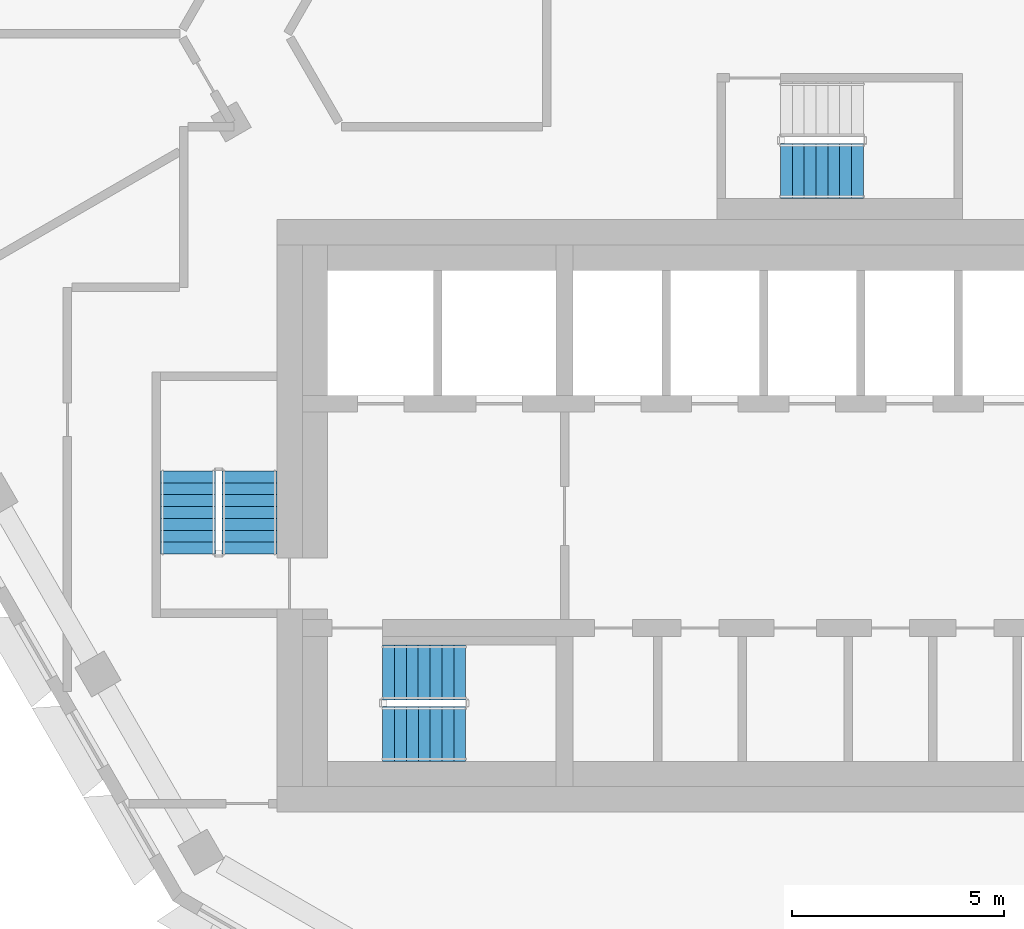
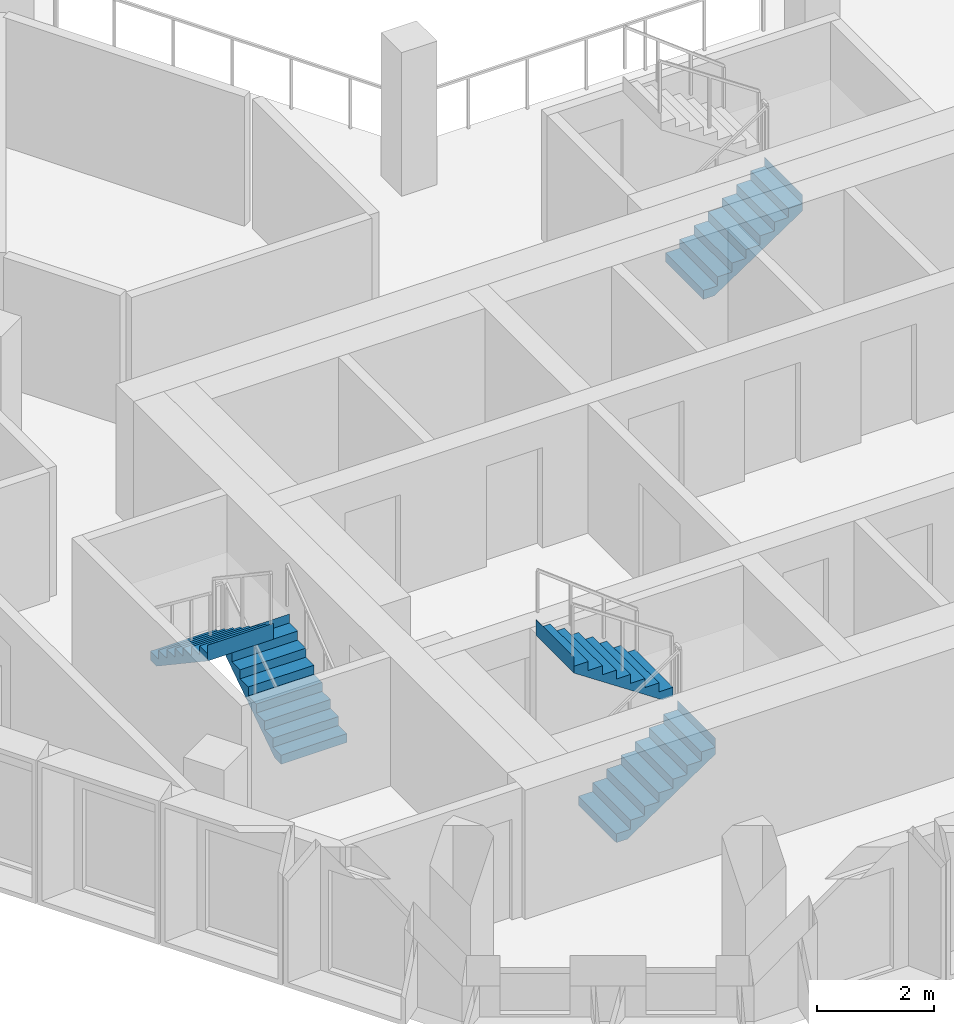
# One storey, part 11 of 17: 5 stair flights, 3 elements without a shape of their own.
"""IFC4 building model written with IfcOpenShell, lengths in metres."""

from ifc_helpers import new_model, si_unit, direction, frame, origin, place, context, subcontext, project, spatial, triangles, material, type_object, element, aggregate, save


model = new_model("IFC4")

# Units and contexts
model_context = context("Model", 3, precision=1e-05, world=origin(), true_north=direction((0.0, 1.0)))
body_context = subcontext(model_context, "Body", "Model", "MODEL_VIEW")
ifc_project = project(units=[si_unit("LENGTHUNIT", "METRE"), si_unit("AREAUNIT", "SQUARE_METRE"), si_unit("VOLUMEUNIT", "CUBIC_METRE"), si_unit("PLANEANGLEUNIT", "RADIAN"), si_unit("MASSUNIT", "GRAM", prefix="KILO")], contexts=[model_context])

# Site, building, storey
site_placement = place(None, origin())
site = spatial("IfcSite", under=ifc_project, at=site_placement, CompositionType="ELEMENT")
building_placement = place(site_placement, origin())
building = spatial("IfcBuilding", under=site, at=building_placement, Name="Beryl Residences", CompositionType="ELEMENT")
storey_placement = place(building_placement, frame((0.0, 0.0, 172.199951171875)))
storey = spatial("IfcBuildingStorey", under=building, at=storey_placement, Name="L52", CompositionType="ELEMENT", Elevation=172.199951171875)

# Stair, stair flights
ifc_material_1 = material(Name="Concrete C40/50", Category="concrete")
stair_type = type_object("IfcStairType", Name="ST1 protected exit stair, half-turn, 1300 mm flights", PredefinedType="HALF_TURN_STAIR", material=ifc_material_1)
stair_1_placement = place(storey_placement, origin())
stair_1 = element("IfcStair", 1, at=stair_1_placement, inside=storey, type_object=stair_type, Name="L52 PROTECTED EXIT STAIR ST-1", PredefinedType="HALF_TURN_STAIR")
ifc_material_2 = material(Name="Concrete C40/50", Category="concrete")
stair_flight_type = type_object("IfcStairFlightType", Name="SF1 stair flight 1300 mm", PredefinedType="STRAIGHT", material=ifc_material_2)
stair_flight_1_placement = place(storey_placement, frame((-10.800048828125, -17.14990234375, 0.0), z_axis=(0.0, 0.0, 1.0), x_axis=(1.0, 0.0, 0.0)))
stair_flight_1 = element("IfcStairFlight", 2, at=stair_flight_1_placement, type_object=stair_flight_type, Name="ST-1 flight 1", NumberOfRisers=8, NumberOfTreads=7, PredefinedType="STRAIGHT", RiserHeight=0.1875, TreadLength=0.28, context=body_context, shape_type="Tessellation", body=[
    triangles([(0.0, -0.64990234375, 0.0), (0.0, -0.324951171875, 0.0), (0.0, 0.0, 0.0), (0.0, 0.324951171875, 0.0), (0.0, 0.64990234375, 0.0), (0.0, -0.64990234375, 0.1875), (0.0, -0.324951171875, 0.1875), (0.0, 0.0, 0.1875), (0.0, 0.324951171875, 0.1875), (0.0, 0.64990234375, 0.1875), (0.280029296875, -0.64990234375, 0.1875), (0.280029296875, -0.324951171875, 0.1875), (0.280029296875, 0.0, 0.1875), (0.280029296875, 0.324951171875, 0.1875), (0.280029296875, 0.64990234375, 0.1875), (0.280029296875, -0.64990234375, 0.375), (0.280029296875, -0.324951171875, 0.375), (0.280029296875, 0.0, 0.375), (0.280029296875, 0.324951171875, 0.375), (0.280029296875, 0.64990234375, 0.375), (0.56005859375, -0.64990234375, 0.375), (0.56005859375, -0.324951171875, 0.375), (0.56005859375, 0.0, 0.375), (0.56005859375, 0.324951171875, 0.375), (0.56005859375, 0.64990234375, 0.375), (0.56005859375, -0.64990234375, 0.5625), (0.56005859375, -0.324951171875, 0.5625), (0.56005859375, 0.0, 0.5625), (0.56005859375, 0.324951171875, 0.5625), (0.56005859375, 0.64990234375, 0.5625), (0.840087890625, -0.64990234375, 0.5625), (0.840087890625, -0.324951171875, 0.5625), (0.840087890625, 0.0, 0.5625), (0.840087890625, 0.324951171875, 0.5625), (0.840087890625, 0.64990234375, 0.5625), (0.840087890625, -0.64990234375, 0.75), (0.840087890625, -0.324951171875, 0.75), (0.840087890625, 0.0, 0.75), (0.840087890625, 0.324951171875, 0.75), (0.840087890625, 0.64990234375, 0.75), (1.1201171875, -0.64990234375, 0.75), (1.1201171875, -0.324951171875, 0.75), (1.1201171875, 0.0, 0.75), (1.1201171875, 0.324951171875, 0.75), (1.1201171875, 0.64990234375, 0.75), (1.1201171875, -0.64990234375, 0.9375), (1.1201171875, -0.324951171875, 0.9375), (1.1201171875, 0.0, 0.9375), (1.1201171875, 0.324951171875, 0.9375), (1.1201171875, 0.64990234375, 0.9375), (1.39990234375, -0.64990234375, 0.9375), (1.39990234375, -0.324951171875, 0.9375), (1.39990234375, 0.0, 0.9375), (1.39990234375, 0.324951171875, 0.9375), (1.39990234375, 0.64990234375, 0.9375), (1.39990234375, -0.64990234375, 1.125), (1.39990234375, -0.324951171875, 1.125), (1.39990234375, 0.0, 1.125), (1.39990234375, 0.324951171875, 1.125), (1.39990234375, 0.64990234375, 1.125), (1.679931640625, -0.64990234375, 1.125), (1.679931640625, -0.324951171875, 1.125), (1.679931640625, 0.0, 1.125), (1.679931640625, 0.324951171875, 1.125), (1.679931640625, 0.64990234375, 1.125), (1.679931640625, -0.64990234375, 1.3125), (1.679931640625, -0.324951171875, 1.3125), (1.679931640625, 0.0, 1.3125), (1.679931640625, 0.324951171875, 1.3125), (1.679931640625, 0.64990234375, 1.3125), (1.9599609375, -0.64990234375, 1.3125), (1.9599609375, -0.324951171875, 1.3125), (1.9599609375, 0.0, 1.3125), (1.9599609375, 0.324951171875, 1.3125), (1.9599609375, 0.64990234375, 1.3125), (1.9599609375, -0.64990234375, 1.5), (1.9599609375, -0.324951171875, 1.5), (1.9599609375, 0.0, 1.5), (1.9599609375, 0.324951171875, 1.5), (1.9599609375, 0.64990234375, 1.5), (1.9609375, -0.64990234375, 1.5), (1.9609375, -0.324951171875, 1.5), (1.9609375, 0.0, 1.5), (1.9609375, 0.324951171875, 1.5), (1.9609375, 0.64990234375, 1.5), (1.9609375, -0.64990234375, 1.16796875), (1.9609375, -0.324951171875, 1.16796875), (1.9609375, 0.0, 1.16796875), (1.9609375, 0.324951171875, 1.16796875), (1.9609375, 0.64990234375, 1.16796875), (0.216796875, -0.64990234375, 0.0), (0.216796875, -0.324951171875, 0.0), (0.216796875, 0.0, 0.0), (0.216796875, 0.324951171875, 0.0), (0.216796875, 0.64990234375, 0.0)], [[1, 6, 7], [1, 7, 2], [2, 7, 8], [2, 8, 3], [3, 8, 9], [3, 9, 4], [4, 9, 10], [4, 10, 5], [6, 11, 12], [6, 12, 7], [7, 12, 13], [7, 13, 8], [8, 13, 14], [8, 14, 9], [9, 14, 15], [9, 15, 10], [11, 16, 17], [11, 17, 12], [12, 17, 18], [12, 18, 13], [13, 18, 19], [13, 19, 14], [14, 19, 20], [14, 20, 15], [16, 21, 22], [16, 22, 17], [17, 22, 23], [17, 23, 18], [18, 23, 24], [18, 24, 19], [19, 24, 25], [19, 25, 20], [21, 26, 27], [21, 27, 22], [22, 27, 28], [22, 28, 23], [23, 28, 29], [23, 29, 24], [24, 29, 30], [24, 30, 25], [26, 31, 32], [26, 32, 27], [27, 32, 33], [27, 33, 28], [28, 33, 34], [28, 34, 29], [29, 34, 35], [29, 35, 30], [31, 36, 37], [31, 37, 32], [32, 37, 38], [32, 38, 33], [33, 38, 39], [33, 39, 34], [34, 39, 40], [34, 40, 35], [36, 41, 42], [36, 42, 37], [37, 42, 43], [37, 43, 38], [38, 43, 44], [38, 44, 39], [39, 44, 45], [39, 45, 40], [41, 46, 47], [41, 47, 42], [42, 47, 48], [42, 48, 43], [43, 48, 49], [43, 49, 44], [44, 49, 50], [44, 50, 45], [46, 51, 52], [46, 52, 47], [47, 52, 53], [47, 53, 48], [48, 53, 54], [48, 54, 49], [49, 54, 55], [49, 55, 50], [51, 56, 57], [51, 57, 52], [52, 57, 58], [52, 58, 53], [53, 58, 59], [53, 59, 54], [54, 59, 60], [54, 60, 55], [56, 61, 62], [56, 62, 57], [57, 62, 63], [57, 63, 58], [58, 63, 64], [58, 64, 59], [59, 64, 65], [59, 65, 60], [61, 66, 67], [61, 67, 62], [62, 67, 68], [62, 68, 63], [63, 68, 69], [63, 69, 64], [64, 69, 70], [64, 70, 65], [66, 71, 72], [66, 72, 67], [67, 72, 73], [67, 73, 68], [68, 73, 74], [68, 74, 69], [69, 74, 75], [69, 75, 70], [71, 76, 77], [71, 77, 72], [72, 77, 78], [72, 78, 73], [73, 78, 79], [73, 79, 74], [74, 79, 80], [74, 80, 75], [76, 81, 82], [76, 82, 77], [77, 82, 83], [77, 83, 78], [78, 83, 84], [78, 84, 79], [79, 84, 85], [79, 85, 80], [81, 86, 87], [81, 87, 82], [82, 87, 88], [82, 88, 83], [83, 88, 89], [83, 89, 84], [84, 89, 90], [84, 90, 85], [86, 91, 92], [86, 92, 87], [87, 92, 93], [87, 93, 88], [88, 93, 94], [88, 94, 89], [89, 94, 95], [89, 95, 90], [91, 1, 2], [91, 2, 92], [92, 2, 3], [92, 3, 93], [93, 3, 4], [93, 4, 94], [94, 4, 5], [94, 5, 95], [1, 91, 86], [5, 90, 95], [86, 81, 76], [90, 80, 85], [86, 76, 71], [90, 75, 80], [86, 71, 66], [90, 70, 75], [86, 66, 61], [90, 65, 70], [61, 56, 51], [65, 55, 60], [86, 61, 51], [90, 55, 65], [51, 46, 41], [55, 45, 50], [86, 51, 41], [90, 45, 55], [41, 36, 31], [45, 35, 40], [86, 41, 31], [90, 35, 45], [31, 26, 21], [35, 25, 30], [86, 31, 21], [90, 25, 35], [21, 16, 11], [25, 15, 20], [86, 21, 11], [90, 15, 25], [1, 86, 11], [5, 15, 90], [11, 6, 1], [15, 5, 10]], closed=True),
])
stair_flight_2_placement = place(storey_placement, frame((-8.840087890625, -15.699951171875, 1.5), z_axis=(0.0, 0.0, 1.0), x_axis=(-1.0, 0.0, 0.0)))
stair_flight_2 = element("IfcStairFlight", 3, at=stair_flight_2_placement, type_object=stair_flight_type, Name="ST-1 flight 2", NumberOfRisers=8, NumberOfTreads=7, PredefinedType="STRAIGHT", RiserHeight=0.1875, TreadLength=0.28, context=body_context, shape_type="Tessellation", body=[
    triangles([(0.0, -0.64990234375, 0.0), (0.0, -0.324951171875, 0.0), (0.0, 0.0, 0.0), (0.0, 0.324951171875, 0.0), (0.0, 0.64990234375, 0.0), (0.0, -0.64990234375, 0.1875), (0.0, -0.324951171875, 0.1875), (0.0, 0.0, 0.1875), (0.0, 0.324951171875, 0.1875), (0.0, 0.64990234375, 0.1875), (0.280029296875, -0.64990234375, 0.1875), (0.280029296875, -0.324951171875, 0.1875), (0.280029296875, 0.0, 0.1875), (0.280029296875, 0.324951171875, 0.1875), (0.280029296875, 0.64990234375, 0.1875), (0.280029296875, -0.64990234375, 0.375), (0.280029296875, -0.324951171875, 0.375), (0.280029296875, 0.0, 0.375), (0.280029296875, 0.324951171875, 0.375), (0.280029296875, 0.64990234375, 0.375), (0.56005859375, -0.64990234375, 0.375), (0.56005859375, -0.324951171875, 0.375), (0.56005859375, 0.0, 0.375), (0.56005859375, 0.324951171875, 0.375), (0.56005859375, 0.64990234375, 0.375), (0.56005859375, -0.64990234375, 0.5625), (0.56005859375, -0.324951171875, 0.5625), (0.56005859375, 0.0, 0.5625), (0.56005859375, 0.324951171875, 0.5625), (0.56005859375, 0.64990234375, 0.5625), (0.840087890625, -0.64990234375, 0.5625), (0.840087890625, -0.324951171875, 0.5625), (0.840087890625, 0.0, 0.5625), (0.840087890625, 0.324951171875, 0.5625), (0.840087890625, 0.64990234375, 0.5625), (0.840087890625, -0.64990234375, 0.75), (0.840087890625, -0.324951171875, 0.75), (0.840087890625, 0.0, 0.75), (0.840087890625, 0.324951171875, 0.75), (0.840087890625, 0.64990234375, 0.75), (1.1201171875, -0.64990234375, 0.75), (1.1201171875, -0.324951171875, 0.75), (1.1201171875, 0.0, 0.75), (1.1201171875, 0.324951171875, 0.75), (1.1201171875, 0.64990234375, 0.75), (1.1201171875, -0.64990234375, 0.9375), (1.1201171875, -0.324951171875, 0.9375), (1.1201171875, 0.0, 0.9375), (1.1201171875, 0.324951171875, 0.9375), (1.1201171875, 0.64990234375, 0.9375), (1.39990234375, -0.64990234375, 0.9375), (1.39990234375, -0.324951171875, 0.9375), (1.39990234375, 0.0, 0.9375), (1.39990234375, 0.324951171875, 0.9375), (1.39990234375, 0.64990234375, 0.9375), (1.39990234375, -0.64990234375, 1.125), (1.39990234375, -0.324951171875, 1.125), (1.39990234375, 0.0, 1.125), (1.39990234375, 0.324951171875, 1.125), (1.39990234375, 0.64990234375, 1.125), (1.679931640625, -0.64990234375, 1.125), (1.679931640625, -0.324951171875, 1.125), (1.679931640625, 0.0, 1.125), (1.679931640625, 0.324951171875, 1.125), (1.679931640625, 0.64990234375, 1.125), (1.679931640625, -0.64990234375, 1.3125), (1.679931640625, -0.324951171875, 1.3125), (1.679931640625, 0.0, 1.3125), (1.679931640625, 0.324951171875, 1.3125), (1.679931640625, 0.64990234375, 1.3125), (1.9599609375, -0.64990234375, 1.3125), (1.9599609375, -0.324951171875, 1.3125), (1.9599609375, 0.0, 1.3125), (1.9599609375, 0.324951171875, 1.3125), (1.9599609375, 0.64990234375, 1.3125), (1.9599609375, -0.64990234375, 1.5), (1.9599609375, -0.324951171875, 1.5), (1.9599609375, 0.0, 1.5), (1.9599609375, 0.324951171875, 1.5), (1.9599609375, 0.64990234375, 1.5), (1.9609375, -0.64990234375, 1.5), (1.9609375, -0.324951171875, 1.5), (1.9609375, 0.0, 1.5), (1.9609375, 0.324951171875, 1.5), (1.9609375, 0.64990234375, 1.5), (1.9609375, -0.64990234375, 1.16796875), (1.9609375, -0.324951171875, 1.16796875), (1.9609375, 0.0, 1.16796875), (1.9609375, 0.324951171875, 1.16796875), (1.9609375, 0.64990234375, 1.16796875), (0.216796875, -0.64990234375, 0.0), (0.216796875, -0.324951171875, 0.0), (0.216796875, 0.0, 0.0), (0.216796875, 0.324951171875, 0.0), (0.216796875, 0.64990234375, 0.0)], [[1, 6, 7], [1, 7, 2], [2, 7, 8], [2, 8, 3], [3, 8, 9], [3, 9, 4], [4, 9, 10], [4, 10, 5], [6, 11, 12], [6, 12, 7], [7, 12, 13], [7, 13, 8], [8, 13, 14], [8, 14, 9], [9, 14, 15], [9, 15, 10], [11, 16, 17], [11, 17, 12], [12, 17, 18], [12, 18, 13], [13, 18, 19], [13, 19, 14], [14, 19, 20], [14, 20, 15], [16, 21, 22], [16, 22, 17], [17, 22, 23], [17, 23, 18], [18, 23, 24], [18, 24, 19], [19, 24, 25], [19, 25, 20], [21, 26, 27], [21, 27, 22], [22, 27, 28], [22, 28, 23], [23, 28, 29], [23, 29, 24], [24, 29, 30], [24, 30, 25], [26, 31, 32], [26, 32, 27], [27, 32, 33], [27, 33, 28], [28, 33, 34], [28, 34, 29], [29, 34, 35], [29, 35, 30], [31, 36, 37], [31, 37, 32], [32, 37, 38], [32, 38, 33], [33, 38, 39], [33, 39, 34], [34, 39, 40], [34, 40, 35], [36, 41, 42], [36, 42, 37], [37, 42, 43], [37, 43, 38], [38, 43, 44], [38, 44, 39], [39, 44, 45], [39, 45, 40], [41, 46, 47], [41, 47, 42], [42, 47, 48], [42, 48, 43], [43, 48, 49], [43, 49, 44], [44, 49, 50], [44, 50, 45], [46, 51, 52], [46, 52, 47], [47, 52, 53], [47, 53, 48], [48, 53, 54], [48, 54, 49], [49, 54, 55], [49, 55, 50], [51, 56, 57], [51, 57, 52], [52, 57, 58], [52, 58, 53], [53, 58, 59], [53, 59, 54], [54, 59, 60], [54, 60, 55], [56, 61, 62], [56, 62, 57], [57, 62, 63], [57, 63, 58], [58, 63, 64], [58, 64, 59], [59, 64, 65], [59, 65, 60], [61, 66, 67], [61, 67, 62], [62, 67, 68], [62, 68, 63], [63, 68, 69], [63, 69, 64], [64, 69, 70], [64, 70, 65], [66, 71, 72], [66, 72, 67], [67, 72, 73], [67, 73, 68], [68, 73, 74], [68, 74, 69], [69, 74, 75], [69, 75, 70], [71, 76, 77], [71, 77, 72], [72, 77, 78], [72, 78, 73], [73, 78, 79], [73, 79, 74], [74, 79, 80], [74, 80, 75], [76, 81, 82], [76, 82, 77], [77, 82, 83], [77, 83, 78], [78, 83, 84], [78, 84, 79], [79, 84, 85], [79, 85, 80], [81, 86, 87], [81, 87, 82], [82, 87, 88], [82, 88, 83], [83, 88, 89], [83, 89, 84], [84, 89, 90], [84, 90, 85], [86, 91, 92], [86, 92, 87], [87, 92, 93], [87, 93, 88], [88, 93, 94], [88, 94, 89], [89, 94, 95], [89, 95, 90], [91, 1, 2], [91, 2, 92], [92, 2, 3], [92, 3, 93], [93, 3, 4], [93, 4, 94], [94, 4, 5], [94, 5, 95], [1, 91, 86], [5, 90, 95], [86, 81, 76], [90, 80, 85], [86, 76, 71], [90, 75, 80], [86, 71, 66], [90, 70, 75], [86, 66, 61], [90, 65, 70], [61, 56, 51], [65, 55, 60], [86, 61, 51], [90, 55, 65], [51, 46, 41], [55, 45, 50], [86, 51, 41], [90, 45, 55], [41, 36, 31], [45, 35, 40], [86, 41, 31], [90, 35, 45], [31, 26, 21], [35, 25, 30], [86, 31, 21], [90, 25, 35], [21, 16, 11], [25, 15, 20], [86, 21, 11], [90, 15, 25], [1, 86, 11], [5, 15, 90], [11, 6, 1], [15, 5, 10]], closed=True),
])
aggregate(stair_1, [stair_flight_1, stair_flight_2])

stair_2_placement = place(storey_placement, origin())
stair_2 = element("IfcStair", 4, at=stair_2_placement, inside=storey, type_object=stair_type, Name="L52 PROTECTED EXIT STAIR ST-2", PredefinedType="HALF_TURN_STAIR")
stair_flight_3_placement = place(storey_placement, frame((-13.949951171875, -12.89990234375, 0.0), z_axis=(0.0, 0.0, 1.0), x_axis=(0.0, 1.0, 0.0)))
stair_flight_3 = element("IfcStairFlight", 5, at=stair_flight_3_placement, type_object=stair_flight_type, Name="ST-2 flight 1", NumberOfRisers=8, NumberOfTreads=7, PredefinedType="STRAIGHT", RiserHeight=0.1875, TreadLength=0.28, context=body_context, shape_type="Tessellation", body=[
    triangles([(0.0, -0.64990234375, 0.0), (0.0, -0.324951171875, 0.0), (0.0, 0.0, 0.0), (0.0, 0.324951171875, 0.0), (0.0, 0.64990234375, 0.0), (0.0, -0.64990234375, 0.1875), (0.0, -0.324951171875, 0.1875), (0.0, 0.0, 0.1875), (0.0, 0.324951171875, 0.1875), (0.0, 0.64990234375, 0.1875), (0.280029296875, -0.64990234375, 0.1875), (0.280029296875, -0.324951171875, 0.1875), (0.280029296875, 0.0, 0.1875), (0.280029296875, 0.324951171875, 0.1875), (0.280029296875, 0.64990234375, 0.1875), (0.280029296875, -0.64990234375, 0.375), (0.280029296875, -0.324951171875, 0.375), (0.280029296875, 0.0, 0.375), (0.280029296875, 0.324951171875, 0.375), (0.280029296875, 0.64990234375, 0.375), (0.56005859375, -0.64990234375, 0.375), (0.56005859375, -0.324951171875, 0.375), (0.56005859375, 0.0, 0.375), (0.56005859375, 0.324951171875, 0.375), (0.56005859375, 0.64990234375, 0.375), (0.56005859375, -0.64990234375, 0.5625), (0.56005859375, -0.324951171875, 0.5625), (0.56005859375, 0.0, 0.5625), (0.56005859375, 0.324951171875, 0.5625), (0.56005859375, 0.64990234375, 0.5625), (0.840087890625, -0.64990234375, 0.5625), (0.840087890625, -0.324951171875, 0.5625), (0.840087890625, 0.0, 0.5625), (0.840087890625, 0.324951171875, 0.5625), (0.840087890625, 0.64990234375, 0.5625), (0.840087890625, -0.64990234375, 0.75), (0.840087890625, -0.324951171875, 0.75), (0.840087890625, 0.0, 0.75), (0.840087890625, 0.324951171875, 0.75), (0.840087890625, 0.64990234375, 0.75), (1.1201171875, -0.64990234375, 0.75), (1.1201171875, -0.324951171875, 0.75), (1.1201171875, 0.0, 0.75), (1.1201171875, 0.324951171875, 0.75), (1.1201171875, 0.64990234375, 0.75), (1.1201171875, -0.64990234375, 0.9375), (1.1201171875, -0.324951171875, 0.9375), (1.1201171875, 0.0, 0.9375), (1.1201171875, 0.324951171875, 0.9375), (1.1201171875, 0.64990234375, 0.9375), (1.39990234375, -0.64990234375, 0.9375), (1.39990234375, -0.324951171875, 0.9375), (1.39990234375, 0.0, 0.9375), (1.39990234375, 0.324951171875, 0.9375), (1.39990234375, 0.64990234375, 0.9375), (1.39990234375, -0.64990234375, 1.125), (1.39990234375, -0.324951171875, 1.125), (1.39990234375, 0.0, 1.125), (1.39990234375, 0.324951171875, 1.125), (1.39990234375, 0.64990234375, 1.125), (1.679931640625, -0.64990234375, 1.125), (1.679931640625, -0.324951171875, 1.125), (1.679931640625, 0.0, 1.125), (1.679931640625, 0.324951171875, 1.125), (1.679931640625, 0.64990234375, 1.125), (1.679931640625, -0.64990234375, 1.3125), (1.679931640625, -0.324951171875, 1.3125), (1.679931640625, 0.0, 1.3125), (1.679931640625, 0.324951171875, 1.3125), (1.679931640625, 0.64990234375, 1.3125), (1.9599609375, -0.64990234375, 1.3125), (1.9599609375, -0.324951171875, 1.3125), (1.9599609375, 0.0, 1.3125), (1.9599609375, 0.324951171875, 1.3125), (1.9599609375, 0.64990234375, 1.3125), (1.9599609375, -0.64990234375, 1.5), (1.9599609375, -0.324951171875, 1.5), (1.9599609375, 0.0, 1.5), (1.9599609375, 0.324951171875, 1.5), (1.9599609375, 0.64990234375, 1.5), (1.9609375, -0.64990234375, 1.5), (1.9609375, -0.324951171875, 1.5), (1.9609375, 0.0, 1.5), (1.9609375, 0.324951171875, 1.5), (1.9609375, 0.64990234375, 1.5), (1.9609375, -0.64990234375, 1.16796875), (1.9609375, -0.324951171875, 1.16796875), (1.9609375, 0.0, 1.16796875), (1.9609375, 0.324951171875, 1.16796875), (1.9609375, 0.64990234375, 1.16796875), (0.216796875, -0.64990234375, 0.0), (0.216796875, -0.324951171875, 0.0), (0.216796875, 0.0, 0.0), (0.216796875, 0.324951171875, 0.0), (0.216796875, 0.64990234375, 0.0)], [[1, 6, 7], [1, 7, 2], [2, 7, 8], [2, 8, 3], [3, 8, 9], [3, 9, 4], [4, 9, 10], [4, 10, 5], [6, 11, 12], [6, 12, 7], [7, 12, 13], [7, 13, 8], [8, 13, 14], [8, 14, 9], [9, 14, 15], [9, 15, 10], [11, 16, 17], [11, 17, 12], [12, 17, 18], [12, 18, 13], [13, 18, 19], [13, 19, 14], [14, 19, 20], [14, 20, 15], [16, 21, 22], [16, 22, 17], [17, 22, 23], [17, 23, 18], [18, 23, 24], [18, 24, 19], [19, 24, 25], [19, 25, 20], [21, 26, 27], [21, 27, 22], [22, 27, 28], [22, 28, 23], [23, 28, 29], [23, 29, 24], [24, 29, 30], [24, 30, 25], [26, 31, 32], [26, 32, 27], [27, 32, 33], [27, 33, 28], [28, 33, 34], [28, 34, 29], [29, 34, 35], [29, 35, 30], [31, 36, 37], [31, 37, 32], [32, 37, 38], [32, 38, 33], [33, 38, 39], [33, 39, 34], [34, 39, 40], [34, 40, 35], [36, 41, 42], [36, 42, 37], [37, 42, 43], [37, 43, 38], [38, 43, 44], [38, 44, 39], [39, 44, 45], [39, 45, 40], [41, 46, 47], [41, 47, 42], [42, 47, 48], [42, 48, 43], [43, 48, 49], [43, 49, 44], [44, 49, 50], [44, 50, 45], [46, 51, 52], [46, 52, 47], [47, 52, 53], [47, 53, 48], [48, 53, 54], [48, 54, 49], [49, 54, 55], [49, 55, 50], [51, 56, 57], [51, 57, 52], [52, 57, 58], [52, 58, 53], [53, 58, 59], [53, 59, 54], [54, 59, 60], [54, 60, 55], [56, 61, 62], [56, 62, 57], [57, 62, 63], [57, 63, 58], [58, 63, 64], [58, 64, 59], [59, 64, 65], [59, 65, 60], [61, 66, 67], [61, 67, 62], [62, 67, 68], [62, 68, 63], [63, 68, 69], [63, 69, 64], [64, 69, 70], [64, 70, 65], [66, 71, 72], [66, 72, 67], [67, 72, 73], [67, 73, 68], [68, 73, 74], [68, 74, 69], [69, 74, 75], [69, 75, 70], [71, 76, 77], [71, 77, 72], [72, 77, 78], [72, 78, 73], [73, 78, 79], [73, 79, 74], [74, 79, 80], [74, 80, 75], [76, 81, 82], [76, 82, 77], [77, 82, 83], [77, 83, 78], [78, 83, 84], [78, 84, 79], [79, 84, 85], [79, 85, 80], [81, 86, 87], [81, 87, 82], [82, 87, 88], [82, 88, 83], [83, 88, 89], [83, 89, 84], [84, 89, 90], [84, 90, 85], [86, 91, 92], [86, 92, 87], [87, 92, 93], [87, 93, 88], [88, 93, 94], [88, 94, 89], [89, 94, 95], [89, 95, 90], [91, 1, 2], [91, 2, 92], [92, 2, 3], [92, 3, 93], [93, 3, 4], [93, 4, 94], [94, 4, 5], [94, 5, 95], [1, 91, 86], [5, 90, 95], [86, 81, 76], [90, 80, 85], [86, 76, 71], [90, 75, 80], [86, 71, 66], [90, 70, 75], [86, 66, 61], [90, 65, 70], [61, 56, 51], [65, 55, 60], [86, 61, 51], [90, 55, 65], [51, 46, 41], [55, 45, 50], [86, 51, 41], [90, 45, 55], [41, 36, 31], [45, 35, 40], [86, 41, 31], [90, 35, 45], [31, 26, 21], [35, 25, 30], [86, 31, 21], [90, 25, 35], [21, 16, 11], [25, 15, 20], [86, 21, 11], [90, 15, 25], [1, 86, 11], [5, 15, 90], [11, 6, 1], [15, 5, 10]], closed=True),
])
stair_flight_4_placement = place(storey_placement, frame((-15.39990234375, -10.93994140625, 1.5), z_axis=(0.0, 0.0, 1.0), x_axis=(0.0, -1.0, 0.0)))
stair_flight_4 = element("IfcStairFlight", 6, at=stair_flight_4_placement, type_object=stair_flight_type, Name="ST-2 flight 2", NumberOfRisers=8, NumberOfTreads=7, PredefinedType="STRAIGHT", RiserHeight=0.1875, TreadLength=0.28, context=body_context, shape_type="Tessellation", body=[
    triangles([(0.0, -0.64990234375, 0.0), (0.0, -0.324951171875, 0.0), (0.0, 0.0, 0.0), (0.0, 0.324951171875, 0.0), (0.0, 0.64990234375, 0.0), (0.0, -0.64990234375, 0.1875), (0.0, -0.324951171875, 0.1875), (0.0, 0.0, 0.1875), (0.0, 0.324951171875, 0.1875), (0.0, 0.64990234375, 0.1875), (0.280029296875, -0.64990234375, 0.1875), (0.280029296875, -0.324951171875, 0.1875), (0.280029296875, 0.0, 0.1875), (0.280029296875, 0.324951171875, 0.1875), (0.280029296875, 0.64990234375, 0.1875), (0.280029296875, -0.64990234375, 0.375), (0.280029296875, -0.324951171875, 0.375), (0.280029296875, 0.0, 0.375), (0.280029296875, 0.324951171875, 0.375), (0.280029296875, 0.64990234375, 0.375), (0.56005859375, -0.64990234375, 0.375), (0.56005859375, -0.324951171875, 0.375), (0.56005859375, 0.0, 0.375), (0.56005859375, 0.324951171875, 0.375), (0.56005859375, 0.64990234375, 0.375), (0.56005859375, -0.64990234375, 0.5625), (0.56005859375, -0.324951171875, 0.5625), (0.56005859375, 0.0, 0.5625), (0.56005859375, 0.324951171875, 0.5625), (0.56005859375, 0.64990234375, 0.5625), (0.840087890625, -0.64990234375, 0.5625), (0.840087890625, -0.324951171875, 0.5625), (0.840087890625, 0.0, 0.5625), (0.840087890625, 0.324951171875, 0.5625), (0.840087890625, 0.64990234375, 0.5625), (0.840087890625, -0.64990234375, 0.75), (0.840087890625, -0.324951171875, 0.75), (0.840087890625, 0.0, 0.75), (0.840087890625, 0.324951171875, 0.75), (0.840087890625, 0.64990234375, 0.75), (1.1201171875, -0.64990234375, 0.75), (1.1201171875, -0.324951171875, 0.75), (1.1201171875, 0.0, 0.75), (1.1201171875, 0.324951171875, 0.75), (1.1201171875, 0.64990234375, 0.75), (1.1201171875, -0.64990234375, 0.9375), (1.1201171875, -0.324951171875, 0.9375), (1.1201171875, 0.0, 0.9375), (1.1201171875, 0.324951171875, 0.9375), (1.1201171875, 0.64990234375, 0.9375), (1.39990234375, -0.64990234375, 0.9375), (1.39990234375, -0.324951171875, 0.9375), (1.39990234375, 0.0, 0.9375), (1.39990234375, 0.324951171875, 0.9375), (1.39990234375, 0.64990234375, 0.9375), (1.39990234375, -0.64990234375, 1.125), (1.39990234375, -0.324951171875, 1.125), (1.39990234375, 0.0, 1.125), (1.39990234375, 0.324951171875, 1.125), (1.39990234375, 0.64990234375, 1.125), (1.679931640625, -0.64990234375, 1.125), (1.679931640625, -0.324951171875, 1.125), (1.679931640625, 0.0, 1.125), (1.679931640625, 0.324951171875, 1.125), (1.679931640625, 0.64990234375, 1.125), (1.679931640625, -0.64990234375, 1.3125), (1.679931640625, -0.324951171875, 1.3125), (1.679931640625, 0.0, 1.3125), (1.679931640625, 0.324951171875, 1.3125), (1.679931640625, 0.64990234375, 1.3125), (1.9599609375, -0.64990234375, 1.3125), (1.9599609375, -0.324951171875, 1.3125), (1.9599609375, 0.0, 1.3125), (1.9599609375, 0.324951171875, 1.3125), (1.9599609375, 0.64990234375, 1.3125), (1.9599609375, -0.64990234375, 1.5), (1.9599609375, -0.324951171875, 1.5), (1.9599609375, 0.0, 1.5), (1.9599609375, 0.324951171875, 1.5), (1.9599609375, 0.64990234375, 1.5), (1.9609375, -0.64990234375, 1.5), (1.9609375, -0.324951171875, 1.5), (1.9609375, 0.0, 1.5), (1.9609375, 0.324951171875, 1.5), (1.9609375, 0.64990234375, 1.5), (1.9609375, -0.64990234375, 1.16796875), (1.9609375, -0.324951171875, 1.16796875), (1.9609375, 0.0, 1.16796875), (1.9609375, 0.324951171875, 1.16796875), (1.9609375, 0.64990234375, 1.16796875), (0.216796875, -0.64990234375, 0.0), (0.216796875, -0.324951171875, 0.0), (0.216796875, 0.0, 0.0), (0.216796875, 0.324951171875, 0.0), (0.216796875, 0.64990234375, 0.0)], [[1, 6, 7], [1, 7, 2], [2, 7, 8], [2, 8, 3], [3, 8, 9], [3, 9, 4], [4, 9, 10], [4, 10, 5], [6, 11, 12], [6, 12, 7], [7, 12, 13], [7, 13, 8], [8, 13, 14], [8, 14, 9], [9, 14, 15], [9, 15, 10], [11, 16, 17], [11, 17, 12], [12, 17, 18], [12, 18, 13], [13, 18, 19], [13, 19, 14], [14, 19, 20], [14, 20, 15], [16, 21, 22], [16, 22, 17], [17, 22, 23], [17, 23, 18], [18, 23, 24], [18, 24, 19], [19, 24, 25], [19, 25, 20], [21, 26, 27], [21, 27, 22], [22, 27, 28], [22, 28, 23], [23, 28, 29], [23, 29, 24], [24, 29, 30], [24, 30, 25], [26, 31, 32], [26, 32, 27], [27, 32, 33], [27, 33, 28], [28, 33, 34], [28, 34, 29], [29, 34, 35], [29, 35, 30], [31, 36, 37], [31, 37, 32], [32, 37, 38], [32, 38, 33], [33, 38, 39], [33, 39, 34], [34, 39, 40], [34, 40, 35], [36, 41, 42], [36, 42, 37], [37, 42, 43], [37, 43, 38], [38, 43, 44], [38, 44, 39], [39, 44, 45], [39, 45, 40], [41, 46, 47], [41, 47, 42], [42, 47, 48], [42, 48, 43], [43, 48, 49], [43, 49, 44], [44, 49, 50], [44, 50, 45], [46, 51, 52], [46, 52, 47], [47, 52, 53], [47, 53, 48], [48, 53, 54], [48, 54, 49], [49, 54, 55], [49, 55, 50], [51, 56, 57], [51, 57, 52], [52, 57, 58], [52, 58, 53], [53, 58, 59], [53, 59, 54], [54, 59, 60], [54, 60, 55], [56, 61, 62], [56, 62, 57], [57, 62, 63], [57, 63, 58], [58, 63, 64], [58, 64, 59], [59, 64, 65], [59, 65, 60], [61, 66, 67], [61, 67, 62], [62, 67, 68], [62, 68, 63], [63, 68, 69], [63, 69, 64], [64, 69, 70], [64, 70, 65], [66, 71, 72], [66, 72, 67], [67, 72, 73], [67, 73, 68], [68, 73, 74], [68, 74, 69], [69, 74, 75], [69, 75, 70], [71, 76, 77], [71, 77, 72], [72, 77, 78], [72, 78, 73], [73, 78, 79], [73, 79, 74], [74, 79, 80], [74, 80, 75], [76, 81, 82], [76, 82, 77], [77, 82, 83], [77, 83, 78], [78, 83, 84], [78, 84, 79], [79, 84, 85], [79, 85, 80], [81, 86, 87], [81, 87, 82], [82, 87, 88], [82, 88, 83], [83, 88, 89], [83, 89, 84], [84, 89, 90], [84, 90, 85], [86, 91, 92], [86, 92, 87], [87, 92, 93], [87, 93, 88], [88, 93, 94], [88, 94, 89], [89, 94, 95], [89, 95, 90], [91, 1, 2], [91, 2, 92], [92, 2, 3], [92, 3, 93], [93, 3, 4], [93, 4, 94], [94, 4, 5], [94, 5, 95], [1, 91, 86], [5, 90, 95], [86, 81, 76], [90, 80, 85], [86, 76, 71], [90, 75, 80], [86, 71, 66], [90, 70, 75], [86, 66, 61], [90, 65, 70], [61, 56, 51], [65, 55, 60], [86, 61, 51], [90, 55, 65], [51, 46, 41], [55, 45, 50], [86, 51, 41], [90, 45, 55], [41, 36, 31], [45, 35, 40], [86, 41, 31], [90, 35, 45], [31, 26, 21], [35, 25, 30], [86, 31, 21], [90, 25, 35], [21, 16, 11], [25, 15, 20], [86, 21, 11], [90, 15, 25], [1, 86, 11], [5, 15, 90], [11, 6, 1], [15, 5, 10]], closed=True),
])
aggregate(stair_2, [stair_flight_3, stair_flight_4])

# Stair, stair flight
stair_3_placement = place(storey_placement, origin())
stair_3 = element("IfcStair", 7, at=stair_3_placement, inside=storey, type_object=stair_type, Name="L52 PROTECTED EXIT STAIR ST-4", PredefinedType="HALF_TURN_STAIR")
stair_flight_5_placement = place(storey_placement, frame((-1.39990234375, -3.85009765625, 0.0), z_axis=(0.0, 0.0, 1.0), x_axis=(1.0, 0.0, 0.0)))
stair_flight_5 = element("IfcStairFlight", 8, at=stair_flight_5_placement, type_object=stair_flight_type, Name="ST-4 flight 1", NumberOfRisers=8, NumberOfTreads=7, PredefinedType="STRAIGHT", RiserHeight=0.1875, TreadLength=0.28, context=body_context, shape_type="Tessellation", body=[
    triangles([(0.0, -0.64990234375, 0.0), (0.0, -0.324951171875, 0.0), (0.0, 0.0, 0.0), (0.0, 0.324951171875, 0.0), (0.0, 0.64990234375, 0.0), (0.0, -0.64990234375, 0.1875), (0.0, -0.324951171875, 0.1875), (0.0, 0.0, 0.1875), (0.0, 0.324951171875, 0.1875), (0.0, 0.64990234375, 0.1875), (0.280029296875, -0.64990234375, 0.1875), (0.280029296875, -0.324951171875, 0.1875), (0.280029296875, 0.0, 0.1875), (0.280029296875, 0.324951171875, 0.1875), (0.280029296875, 0.64990234375, 0.1875), (0.280029296875, -0.64990234375, 0.375), (0.280029296875, -0.324951171875, 0.375), (0.280029296875, 0.0, 0.375), (0.280029296875, 0.324951171875, 0.375), (0.280029296875, 0.64990234375, 0.375), (0.56005859375, -0.64990234375, 0.375), (0.56005859375, -0.324951171875, 0.375), (0.56005859375, 0.0, 0.375), (0.56005859375, 0.324951171875, 0.375), (0.56005859375, 0.64990234375, 0.375), (0.56005859375, -0.64990234375, 0.5625), (0.56005859375, -0.324951171875, 0.5625), (0.56005859375, 0.0, 0.5625), (0.56005859375, 0.324951171875, 0.5625), (0.56005859375, 0.64990234375, 0.5625), (0.840087890625, -0.64990234375, 0.5625), (0.840087890625, -0.324951171875, 0.5625), (0.840087890625, 0.0, 0.5625), (0.840087890625, 0.324951171875, 0.5625), (0.840087890625, 0.64990234375, 0.5625), (0.840087890625, -0.64990234375, 0.75), (0.840087890625, -0.324951171875, 0.75), (0.840087890625, 0.0, 0.75), (0.840087890625, 0.324951171875, 0.75), (0.840087890625, 0.64990234375, 0.75), (1.1201171875, -0.64990234375, 0.75), (1.1201171875, -0.324951171875, 0.75), (1.1201171875, 0.0, 0.75), (1.1201171875, 0.324951171875, 0.75), (1.1201171875, 0.64990234375, 0.75), (1.1201171875, -0.64990234375, 0.9375), (1.1201171875, -0.324951171875, 0.9375), (1.1201171875, 0.0, 0.9375), (1.1201171875, 0.324951171875, 0.9375), (1.1201171875, 0.64990234375, 0.9375), (1.39990234375, -0.64990234375, 0.9375), (1.39990234375, -0.324951171875, 0.9375), (1.39990234375, 0.0, 0.9375), (1.39990234375, 0.324951171875, 0.9375), (1.39990234375, 0.64990234375, 0.9375), (1.39990234375, -0.64990234375, 1.125), (1.39990234375, -0.324951171875, 1.125), (1.39990234375, 0.0, 1.125), (1.39990234375, 0.324951171875, 1.125), (1.39990234375, 0.64990234375, 1.125), (1.679931640625, -0.64990234375, 1.125), (1.679931640625, -0.324951171875, 1.125), (1.679931640625, 0.0, 1.125), (1.679931640625, 0.324951171875, 1.125), (1.679931640625, 0.64990234375, 1.125), (1.679931640625, -0.64990234375, 1.3125), (1.679931640625, -0.324951171875, 1.3125), (1.679931640625, 0.0, 1.3125), (1.679931640625, 0.324951171875, 1.3125), (1.679931640625, 0.64990234375, 1.3125), (1.9599609375, -0.64990234375, 1.3125), (1.9599609375, -0.324951171875, 1.3125), (1.9599609375, 0.0, 1.3125), (1.9599609375, 0.324951171875, 1.3125), (1.9599609375, 0.64990234375, 1.3125), (1.9599609375, -0.64990234375, 1.5), (1.9599609375, -0.324951171875, 1.5), (1.9599609375, 0.0, 1.5), (1.9599609375, 0.324951171875, 1.5), (1.9599609375, 0.64990234375, 1.5), (1.9609375, -0.64990234375, 1.5), (1.9609375, -0.324951171875, 1.5), (1.9609375, 0.0, 1.5), (1.9609375, 0.324951171875, 1.5), (1.9609375, 0.64990234375, 1.5), (1.9609375, -0.64990234375, 1.16796875), (1.9609375, -0.324951171875, 1.16796875), (1.9609375, 0.0, 1.16796875), (1.9609375, 0.324951171875, 1.16796875), (1.9609375, 0.64990234375, 1.16796875), (0.216796875, -0.64990234375, 0.0), (0.216796875, -0.324951171875, 0.0), (0.216796875, 0.0, 0.0), (0.216796875, 0.324951171875, 0.0), (0.216796875, 0.64990234375, 0.0)], [[1, 6, 7], [1, 7, 2], [2, 7, 8], [2, 8, 3], [3, 8, 9], [3, 9, 4], [4, 9, 10], [4, 10, 5], [6, 11, 12], [6, 12, 7], [7, 12, 13], [7, 13, 8], [8, 13, 14], [8, 14, 9], [9, 14, 15], [9, 15, 10], [11, 16, 17], [11, 17, 12], [12, 17, 18], [12, 18, 13], [13, 18, 19], [13, 19, 14], [14, 19, 20], [14, 20, 15], [16, 21, 22], [16, 22, 17], [17, 22, 23], [17, 23, 18], [18, 23, 24], [18, 24, 19], [19, 24, 25], [19, 25, 20], [21, 26, 27], [21, 27, 22], [22, 27, 28], [22, 28, 23], [23, 28, 29], [23, 29, 24], [24, 29, 30], [24, 30, 25], [26, 31, 32], [26, 32, 27], [27, 32, 33], [27, 33, 28], [28, 33, 34], [28, 34, 29], [29, 34, 35], [29, 35, 30], [31, 36, 37], [31, 37, 32], [32, 37, 38], [32, 38, 33], [33, 38, 39], [33, 39, 34], [34, 39, 40], [34, 40, 35], [36, 41, 42], [36, 42, 37], [37, 42, 43], [37, 43, 38], [38, 43, 44], [38, 44, 39], [39, 44, 45], [39, 45, 40], [41, 46, 47], [41, 47, 42], [42, 47, 48], [42, 48, 43], [43, 48, 49], [43, 49, 44], [44, 49, 50], [44, 50, 45], [46, 51, 52], [46, 52, 47], [47, 52, 53], [47, 53, 48], [48, 53, 54], [48, 54, 49], [49, 54, 55], [49, 55, 50], [51, 56, 57], [51, 57, 52], [52, 57, 58], [52, 58, 53], [53, 58, 59], [53, 59, 54], [54, 59, 60], [54, 60, 55], [56, 61, 62], [56, 62, 57], [57, 62, 63], [57, 63, 58], [58, 63, 64], [58, 64, 59], [59, 64, 65], [59, 65, 60], [61, 66, 67], [61, 67, 62], [62, 67, 68], [62, 68, 63], [63, 68, 69], [63, 69, 64], [64, 69, 70], [64, 70, 65], [66, 71, 72], [66, 72, 67], [67, 72, 73], [67, 73, 68], [68, 73, 74], [68, 74, 69], [69, 74, 75], [69, 75, 70], [71, 76, 77], [71, 77, 72], [72, 77, 78], [72, 78, 73], [73, 78, 79], [73, 79, 74], [74, 79, 80], [74, 80, 75], [76, 81, 82], [76, 82, 77], [77, 82, 83], [77, 83, 78], [78, 83, 84], [78, 84, 79], [79, 84, 85], [79, 85, 80], [81, 86, 87], [81, 87, 82], [82, 87, 88], [82, 88, 83], [83, 88, 89], [83, 89, 84], [84, 89, 90], [84, 90, 85], [86, 91, 92], [86, 92, 87], [87, 92, 93], [87, 93, 88], [88, 93, 94], [88, 94, 89], [89, 94, 95], [89, 95, 90], [91, 1, 2], [91, 2, 92], [92, 2, 3], [92, 3, 93], [93, 3, 4], [93, 4, 94], [94, 4, 5], [94, 5, 95], [1, 91, 86], [5, 90, 95], [86, 81, 76], [90, 80, 85], [86, 76, 71], [90, 75, 80], [86, 71, 66], [90, 70, 75], [86, 66, 61], [90, 65, 70], [61, 56, 51], [65, 55, 60], [86, 61, 51], [90, 55, 65], [51, 46, 41], [55, 45, 50], [86, 51, 41], [90, 45, 55], [41, 36, 31], [45, 35, 40], [86, 41, 31], [90, 35, 45], [31, 26, 21], [35, 25, 30], [86, 31, 21], [90, 25, 35], [21, 16, 11], [25, 15, 20], [86, 21, 11], [90, 15, 25], [1, 86, 11], [5, 15, 90], [11, 6, 1], [15, 5, 10]], closed=True),
])
aggregate(stair_3, [stair_flight_5])

save(model, "model.ifc")
